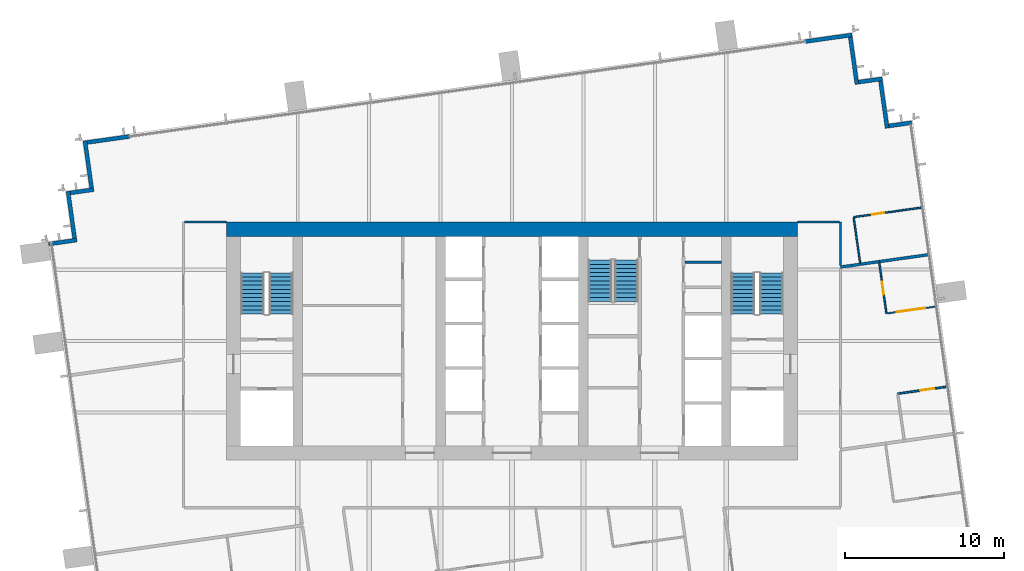
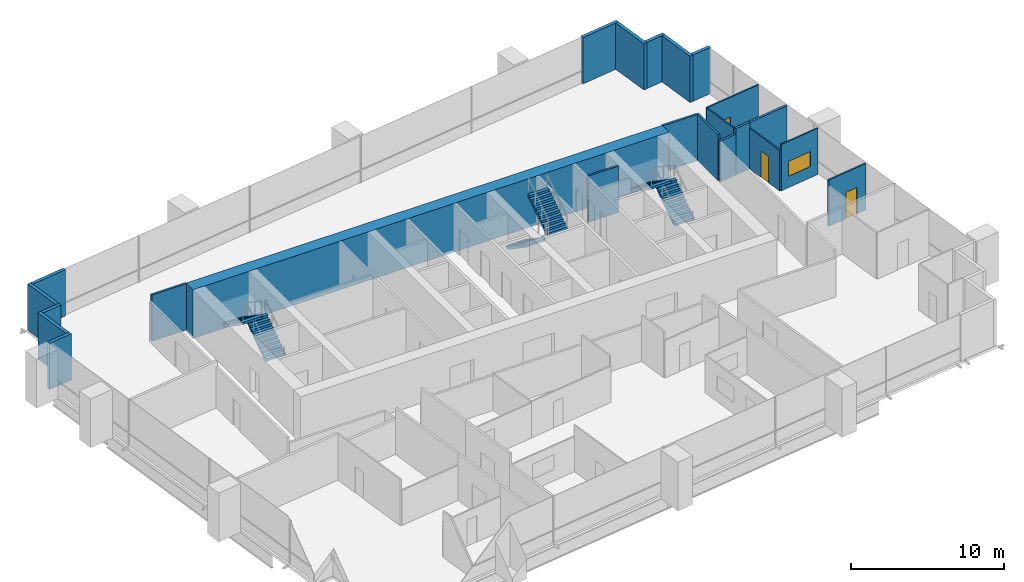
# One storey, part 12 of 14: 23 walls, 6 stair flights, 3 doors, 1 window, 4 openings, 3 elements without a shape of their own.
"""IFC4 building model written with IfcOpenShell, lengths in metres."""

from ifc_helpers import new_model, si_unit, direction, frame, frame_2d, origin, place, context, subcontext, project, spatial, polyline, rectangle, outline, extrude, material, layer, layer_set, type_object, element, fill, aggregate, save


model = new_model("IFC4")

# Units and contexts
model_context = context("Model", 3, precision=1e-05, world=origin(), true_north=direction((0.0, 1.0)))
body_context = subcontext(model_context, "Body", "Model", "MODEL_VIEW")
ifc_project = project(units=[si_unit("LENGTHUNIT", "METRE"), si_unit("AREAUNIT", "SQUARE_METRE"), si_unit("VOLUMEUNIT", "CUBIC_METRE"), si_unit("PLANEANGLEUNIT", "RADIAN"), si_unit("MASSUNIT", "GRAM", prefix="KILO")], contexts=[model_context])

# Site, building, storey
site_placement = place(None, origin())
site = spatial("IfcSite", under=ifc_project, at=site_placement, CompositionType="ELEMENT")
building_placement = place(site_placement, origin())
building = spatial("IfcBuilding", under=site, at=building_placement, Name="Rattan Terrace Tower", CompositionType="ELEMENT")
storey_placement = place(building_placement, frame((0.0, 0.0, 184.10009765625)))
storey = spatial("IfcBuildingStorey", under=building, at=storey_placement, Name="L42", CompositionType="ELEMENT", Elevation=184.10009765625)

# Walls
ifc_material_1 = material(Name="Gypsum board partition")
ifc_layer_1 = layer(ifc_material_1, 0.14990234375)
ifc_layer_set_1 = layer_set([ifc_layer_1], Name="Core partition 150")
wall_type_1 = type_object("IfcWallType", Name="Core partition 150", PredefinedType="PARTITIONING", material=ifc_layer_set_1)
wall_1_placement = place(storey_placement, frame((10.89990234375, 4.968017578125, 0.0), z_axis=(0.0, 0.0, 1.0), x_axis=(1.0, 0.0, 0.0)))
element("IfcWall", 1, at=wall_1_placement, inside=storey, type_object=wall_type_1, Name="Riser room wall", PredefinedType="PARTITIONING", context=body_context, shape_type="SweptSolid", body=[
    extrude(rectangle(XDim=2.300048828125, YDim=0.14990234375, at=frame_2d((1.14990234375, 0.0))), origin(), (0.0, 0.0, 1.0), 3.699951171875),
])
ifc_material_2 = material(Name="Concrete C60/75", Category="concrete")
ifc_layer_2 = layer(ifc_material_2, 0.89990234375)
ifc_layer_set_2 = layer_set([ifc_layer_2], Name="Core ring wall 900 C60/75")
wall_type_2 = type_object("IfcWallType", Name="Core ring wall 900 C60/75", PredefinedType="SHEAR", material=ifc_layer_set_2)
wall_2_placement = place(storey_placement, frame((-18.0, 7.050048828125, -0.2001953125), z_axis=(0.0, 0.0, 1.0), x_axis=(1.0, 0.0, 0.0)))
element("IfcWall", 2, at=wall_2_placement, inside=storey, type_object=wall_type_2, Name="Rear core wall north", PredefinedType="SHEAR", context=body_context, shape_type="SweptSolid", body=[
    extrude(rectangle(XDim=36.0, YDim=0.89990234375, at=frame_2d((18.0, 0.0))), origin(), (0.0, 0.0, 1.0), 3.900146484375),
])
ifc_material_3 = material(Name="Insulated aluminium-clad stud wall", Category="aluminium")
ifc_layer_3 = layer(ifc_material_3, 0.25)
ifc_layer_set_3 = layer_set([ifc_layer_3], Name="Facade Riser Wall 250")
wall_type_3 = type_object("IfcWallType", Name="Facade Riser Wall 250", PredefinedType="SOLIDWALL", material=ifc_layer_set_3)
wall_3_placement = place(storey_placement, frame((25.18359375, 13.758056640625, 0.0), z_axis=(0.0, 0.0, 1.0), x_axis=(-0.9902493448, -0.13930626376, 0.0)))
element("IfcWall", 3, at=wall_3_placement, inside=storey, type_object=wall_type_3, Name="Riser wall L42-6", PredefinedType="SOLIDWALL", context=body_context, shape_type="SweptSolid", body=[
    extrude(rectangle(XDim=1.45458984375, YDim=0.25, at=frame_2d((0.727294921875, 0.0))), origin(), (0.0, 0.0, 1.0), 3.699951171875),
])
wall_4_placement = place(storey_placement, frame((23.63671875, 13.414306640625, 0.0), z_axis=(0.0, 0.0, 1.0), x_axis=(-0.139313431826, 0.990248336385, 0.0)))
element("IfcWall", 4, at=wall_4_placement, inside=storey, type_object=wall_type_3, Name="Riser wall L42-7", PredefinedType="SOLIDWALL", context=body_context, shape_type="SweptSolid", body=[
    extrude(rectangle(XDim=3.000244140625, YDim=0.25, at=frame_2d((1.5, 0.0))), origin(), (0.0, 0.0, 1.0), 3.699951171875),
])
wall_5_placement = place(storey_placement, frame((23.3251953125, 16.5263671875, 0.0), z_axis=(0.0, 0.0, 1.0), x_axis=(-0.990243596651, -0.13934711799, 0.0)))
element("IfcWall", 5, at=wall_5_placement, inside=storey, type_object=wall_type_3, Name="Riser wall L42-8", PredefinedType="SOLIDWALL", context=body_context, shape_type="SweptSolid", body=[
    extrude(rectangle(XDim=1.499755859375, YDim=0.25, at=frame_2d((0.75, 0.0))), origin(), (0.0, 0.0, 1.0), 3.699951171875),
])
wall_6_placement = place(storey_placement, frame((21.733642578125, 16.17626953125, 0.0), z_axis=(0.0, 0.0, 1.0), x_axis=(-0.139313431826, 0.990248336385, 0.0)))
element("IfcWall", 6, at=wall_6_placement, inside=storey, type_object=wall_type_3, Name="Riser wall L42-9", PredefinedType="SOLIDWALL", context=body_context, shape_type="SweptSolid", body=[
    extrude(rectangle(XDim=3.000244140625, YDim=0.25, at=frame_2d((1.5, 0.0))), origin(), (0.0, 0.0, 1.0), 3.699951171875),
])
wall_7_placement = place(storey_placement, frame((21.422119140625, 19.288330078125, 0.0), z_axis=(0.0, 0.0, 1.0), x_axis=(-0.990246427036, -0.139327002919, 0.0)))
element("IfcWall", 7, at=wall_7_placement, inside=storey, type_object=wall_type_3, Name="Riser wall L42-10", PredefinedType="SOLIDWALL", context=body_context, shape_type="SweptSolid", body=[
    extrude(rectangle(XDim=2.954345703125, YDim=0.25, at=frame_2d((1.47705078125, 0.0))), origin(), (0.0, 0.0, 1.0), 3.699951171875),
])
wall_8_placement = place(storey_placement, frame((-24.08544921875, 12.892578125, 0.0), z_axis=(0.0, 0.0, 1.0), x_axis=(-0.990255800966, -0.139260362823, 0.0)))
element("IfcWall", 8, at=wall_8_placement, inside=storey, type_object=wall_type_3, Name="Riser wall L42-11", PredefinedType="SOLIDWALL", context=body_context, shape_type="SweptSolid", body=[
    extrude(rectangle(XDim=2.705078125, YDim=0.25, at=frame_2d((1.3525390625, 0.0))), origin(), (0.0, 0.0, 1.0), 3.699951171875),
])
wall_9_placement = place(storey_placement, frame((-26.9052734375, 12.6220703125, 0.0), z_axis=(0.0, 0.0, 1.0), x_axis=(0.139313431826, -0.990248336385, 0.0)))
element("IfcWall", 9, at=wall_9_placement, inside=storey, type_object=wall_type_3, Name="Riser wall L42-12", PredefinedType="SOLIDWALL", context=body_context, shape_type="SweptSolid", body=[
    extrude(rectangle(XDim=3.000244140625, YDim=0.25, at=frame_2d((1.5, 0.0))), origin(), (0.0, 0.0, 1.0), 3.699951171875),
])
wall_10_placement = place(storey_placement, frame((-26.34619140625, 9.54443359375, 0.0), z_axis=(0.0, 0.0, 1.0), x_axis=(-0.990368090482, -0.13845954411, 0.0)))
element("IfcWall", 10, at=wall_10_placement, inside=storey, type_object=wall_type_3, Name="Riser wall L42-13", PredefinedType="SOLIDWALL", context=body_context, shape_type="SweptSolid", body=[
    extrude(rectangle(XDim=1.50048828125, YDim=0.25, at=frame_2d((0.750244140625, 0.0))), origin(), (0.0, 0.0, 1.0), 3.699951171875),
])
wall_11_placement = place(storey_placement, frame((-27.973388671875, 9.443115234375, 0.0), z_axis=(0.0, 0.0, 1.0), x_axis=(0.139313431826, -0.990248336385, 0.0)))
element("IfcWall", 11, at=wall_11_placement, inside=storey, type_object=wall_type_3, Name="Riser wall L42-14", PredefinedType="SOLIDWALL", context=body_context, shape_type="SweptSolid", body=[
    extrude(rectangle(XDim=3.000244140625, YDim=0.25, at=frame_2d((1.5, 0.0))), origin(), (0.0, 0.0, 1.0), 3.699951171875),
])
wall_12_placement = place(storey_placement, frame((-27.414306640625, 6.36572265625, 0.0), z_axis=(0.0, 0.0, 1.0), x_axis=(-0.990256286673, -0.139256908998, 0.0)))
element("IfcWall", 12, at=wall_12_placement, inside=storey, type_object=wall_type_3, Name="Riser wall L42-15", PredefinedType="SOLIDWALL", context=body_context, shape_type="SweptSolid", body=[
    extrude(rectangle(XDim=1.800537109375, YDim=0.25, at=frame_2d((0.900390625, 0.0))), origin(), (0.0, 0.0, 1.0), 3.699951171875),
])
ifc_material_4 = material(Name="Double steel stud acoustic partition, gypsum board, mineral wool, fire rated", Category="steel")
ifc_layer_4 = layer(ifc_material_4, 0.179931640625)
ifc_layer_set_4 = layer_set([ifc_layer_4], Name="Floors Acoustic Party Wall 180")
wall_type_4 = type_object("IfcWallType", Name="Floors Acoustic Party Wall 180", PredefinedType="PARTITIONING", material=ifc_layer_set_4)
wall_13_placement = place(storey_placement, frame((20.699951171875, 4.6650390625, 0.0), z_axis=(0.0, 0.0, 1.0), x_axis=(0.99023431529, 0.139413058294, 0.0)))
element("IfcWall", 13, at=wall_13_placement, inside=storey, type_object=wall_type_4, Name="pt-L42-044", PredefinedType="PARTITIONING", context=body_context, shape_type="SweptSolid", body=[
    extrude(rectangle(XDim=1.276611328125, YDim=0.179931640625, at=frame_2d((0.63818359375, 0.0))), origin(), (0.0, 0.0, 1.0), 3.25),
])
wall_14_placement = place(storey_placement, frame((21.964111328125, 4.843017578125, 0.0), z_axis=(0.0, 0.0, 1.0), x_axis=(0.990277975586, 0.139102591888, 0.0)))
element("IfcWall", 14, at=wall_14_placement, inside=storey, type_object=wall_type_4, Name="pt-L42-045", PredefinedType="PARTITIONING", context=body_context, shape_type="SweptSolid", body=[
    extrude(rectangle(XDim=1.179443359375, YDim=0.179931640625, at=frame_2d((0.58984375, 0.0))), origin(), (0.0, 0.0, 1.0), 3.699951171875),
])
wall_15_placement = place(storey_placement, frame((23.132080078125, 5.007080078125, 0.0), z_axis=(0.0, 0.0, 1.0), x_axis=(0.990260846741, 0.139224478493, 0.0)))
element("IfcWall", 15, at=wall_15_placement, inside=storey, type_object=wall_type_4, Name="pt-L42-046", PredefinedType="PARTITIONING", context=body_context, shape_type="SweptSolid", body=[
    extrude(rectangle(XDim=3.0810546875, YDim=0.179931640625, at=frame_2d((1.54052734375, 0.0))), origin(), (0.0, 0.0, 1.0), 3.699951171875),
])

# Wall, opening, door
ifc_material_5 = material(Name="Gypsum board partition on steel studs", Category="steel")
ifc_layer_5 = layer(ifc_material_5, 0.10009765625)
ifc_layer_set_5 = layer_set([ifc_layer_5], Name="Floors Partition 100")
wall_type_5 = type_object("IfcWallType", Name="Floors Partition 100", PredefinedType="PARTITIONING", material=ifc_layer_set_5)
wall_16_placement = place(storey_placement, frame((23.14501953125, 4.91796875, 0.0), z_axis=(0.0, 0.0, 1.0), x_axis=(0.139249005145, -0.990257398138, 0.0)))
wall_16 = element("IfcWall", 16, at=wall_16_placement, inside=storey, type_object=wall_type_5, Name="pt-L42-042", PredefinedType="PARTITIONING", context=body_context, shape_type="SweptSolid", body=[
    extrude(rectangle(XDim=3.210205078125, YDim=0.10009765625, at=frame_2d((1.60498046875, 0.0))), origin(), (0.0, 0.0, 1.0), 3.25),
])
opening_1_placement = place(wall_16_placement, frame((1.205078125, 0.0, 0.0)))
opening_1 = element("IfcOpeningElement", 17, at=opening_1_placement, cuts=wall_16, Name="Opening L42-D109", PredefinedType="OPENING", context=body_context, shape_type="SweptSolid", body=[
    extrude(rectangle(XDim=0.800048828125, YDim=2.10009765625, at=frame_2d((0.39990234375, 1.050048828125))), frame((0.0, 0.060546875, 0.0), z_axis=(0.0, -1.0, 0.0), x_axis=(1.0, 0.0, 0.0)), (0.0, 0.0, 1.0), 0.12109375),
])
ifc_material_6 = material(Name="Solid core timber door, painted", Category="wood")
door_type_1 = type_object("IfcDoorType", Name="Floors Store Door 800x2100", OperationType="NOTDEFINED", PredefinedType="DOOR", material=ifc_material_6)
door_1_placement = place(opening_1_placement, origin())
door_1 = element("IfcDoor", 18, at=door_1_placement, inside=storey, type_object=door_type_1, Name="d-L42-109", OperationType="SINGLE_SWING_RIGHT", OverallHeight=2.10009765625, OverallWidth=0.800048828125, PredefinedType="DOOR", context=body_context, shape_type="SweptSolid", body=[
    extrude(rectangle(XDim=0.800048828125, YDim=2.10009765625, at=frame_2d((0.39990234375, 1.050048828125))), frame((0.0, 0.02490234375, 0.0), z_axis=(0.0, -1.0, 0.0), x_axis=(1.0, 0.0, 0.0)), (0.0, 0.0, 1.0), 0.050048828125),
])
fill(opening_1, door_1)

# Wall, opening, window
wall_17_placement = place(storey_placement, frame((23.64208984375, 1.74609375, 0.0), z_axis=(0.0, 0.0, 1.0), x_axis=(0.990294755806, 0.138983080349, 0.0)))
wall_17 = element("IfcWall", 19, at=wall_17_placement, inside=storey, type_object=wall_type_5, Name="pt-L42-043", PredefinedType="PARTITIONING", context=body_context, shape_type="SweptSolid", body=[
    extrude(rectangle(XDim=3.0283203125, YDim=0.10009765625, at=frame_2d((1.51416015625, 0.0))), origin(), (0.0, 0.0, 1.0), 3.699951171875),
])
opening_2_placement = place(wall_17_placement, frame((0.614990234375, 0.0, 0.89990234375)))
opening_2 = element("IfcOpeningElement", 20, at=opening_2_placement, cuts=wall_17, Name="Opening L42-W100", PredefinedType="OPENING", context=body_context, shape_type="SweptSolid", body=[
    extrude(rectangle(XDim=1.800048828125, YDim=1.199951171875, at=frame_2d((0.89990234375, 0.60009765625))), frame((0.0, 0.060546875, 0.0), z_axis=(0.0, -1.0, 0.0), x_axis=(1.0, 0.0, 0.0)), (0.0, 0.0, 1.0), 0.12109375),
])
ifc_material_7 = material(Name="Glass, clear, fixed in aluminium frame", Category="aluminium")
window_type = type_object("IfcWindowType", Name="Interior Vision Window 1800x1200", PartitioningType="SINGLE_PANEL", PredefinedType="WINDOW", material=ifc_material_7)
window_placement = place(opening_2_placement, origin())
window = element("IfcWindow", 21, at=window_placement, inside=storey, type_object=window_type, Name="w-L42-100", OverallHeight=1.199951171875, OverallWidth=1.800048828125, PartitioningType="SINGLE_PANEL", PredefinedType="WINDOW", context=body_context, shape_type="SweptSolid", body=[
    extrude(rectangle(XDim=1.800048828125, YDim=1.199951171875, at=frame_2d((0.89990234375, 0.60009765625))), frame((0.0, 0.030029296875, 0.0), z_axis=(0.0, -1.0, 0.0), x_axis=(1.0, 0.0, 0.0)), (0.0, 0.0, 1.0), 0.06005859375),
])
fill(opening_2, window)

# Wall
wall_18_placement = place(storey_placement, frame((21.532958984375, 7.760986328125, 0.0), z_axis=(0.0, 0.0, 1.0), x_axis=(0.139150189669, -0.990271288443, 0.0)))
element("IfcWall", 22, at=wall_18_placement, inside=storey, type_object=wall_type_5, Name="pt-L42-047", PredefinedType="PARTITIONING", context=body_context, shape_type="SweptSolid", body=[
    extrude(rectangle(XDim=2.85986328125, YDim=0.10009765625, at=frame_2d((1.429931640625, 0.0))), origin(), (0.0, 0.0, 1.0), 3.699951171875),
])

# Wall, opening, door
wall_19_placement = place(storey_placement, frame((25.763916015625, 8.406005859375, 0.0), z_axis=(0.0, 0.0, 1.0), x_axis=(-0.99028887957, -0.139024943805, 0.0)))
wall_19 = element("IfcWall", 23, at=wall_19_placement, inside=storey, type_object=wall_type_5, Name="pt-L42-048", PredefinedType="PARTITIONING", context=body_context, shape_type="SweptSolid", body=[
    extrude(rectangle(XDim=4.279541015625, YDim=0.10009765625, at=frame_2d((2.1396484375, 0.0))), origin(), (0.0, 0.0, 1.0), 3.699951171875),
])
opening_3_placement = place(wall_19_placement, frame((2.3359375, 0.0, 0.0)))
opening_3 = element("IfcOpeningElement", 24, at=opening_3_placement, cuts=wall_19, Name="Opening L42-D111", PredefinedType="OPENING", context=body_context, shape_type="SweptSolid", body=[
    extrude(rectangle(XDim=0.800048828125, YDim=2.10009765625, at=frame_2d((0.39990234375, 1.050048828125))), frame((0.0, 0.060546875, 0.0), z_axis=(0.0, -1.0, 0.0), x_axis=(1.0, 0.0, 0.0)), (0.0, 0.0, 1.0), 0.12109375),
])
door_2_placement = place(opening_3_placement, origin())
door_2 = element("IfcDoor", 25, at=door_2_placement, inside=storey, type_object=door_type_1, Name="d-L42-111", OperationType="SINGLE_SWING_RIGHT", OverallHeight=2.10009765625, OverallWidth=0.800048828125, PredefinedType="DOOR", context=body_context, shape_type="SweptSolid", body=[
    extrude(rectangle(XDim=0.800048828125, YDim=2.10009765625, at=frame_2d((0.39990234375, 1.050048828125))), frame((0.0, 0.02490234375, 0.0), z_axis=(0.0, -1.0, 0.0), x_axis=(1.0, 0.0, 0.0)), (0.0, 0.0, 1.0), 0.050048828125),
])
fill(opening_3, door_2)

# Walls
ifc_material_8 = material(Name="Gypsum board partition on steel studs, fire rated", Category="steel")
ifc_layer_6 = layer(ifc_material_8, 0.14990234375)
ifc_layer_set_6 = layer_set([ifc_layer_6], Name="Floors Tenancy Wall 150")
wall_type_6 = type_object("IfcWallType", Name="Floors Tenancy Wall 150", PredefinedType="PARTITIONING", material=ifc_layer_set_6)
wall_20_placement = place(storey_placement, frame((-20.625, 7.5009765625, 0.0), z_axis=(0.0, 0.0, 1.0), x_axis=(1.0, 0.0, 0.0)))
element("IfcWall", 26, at=wall_20_placement, inside=storey, type_object=wall_type_6, Name="pt-L42-012", PredefinedType="PARTITIONING", context=body_context, shape_type="SweptSolid", body=[
    extrude(rectangle(XDim=2.625, YDim=0.14990234375, at=frame_2d((1.3125, 0.0))), origin(), (0.0, 0.0, 1.0), 3.699951171875),
])
wall_21_placement = place(storey_placement, frame((18.0, 7.5009765625, 0.0), z_axis=(0.0, 0.0, 1.0), x_axis=(1.0, 0.0, 0.0)))
element("IfcWall", 27, at=wall_21_placement, inside=storey, type_object=wall_type_6, Name="pt-L42-013", PredefinedType="PARTITIONING", context=body_context, shape_type="SweptSolid", body=[
    extrude(rectangle(XDim=2.6240234375, YDim=0.14990234375, at=frame_2d((1.31201171875, 0.0))), origin(), (0.0, 0.0, 1.0), 3.699951171875),
])
wall_22_placement = place(storey_placement, frame((20.698974609375, 7.5, 0.0), z_axis=(0.0, 0.0, 1.0), x_axis=(0.0, -1.0, 0.0)))
element("IfcWall", 28, at=wall_22_placement, inside=storey, type_object=wall_type_6, Name="pt-L42-014", PredefinedType="PARTITIONING", context=body_context, shape_type="SweptSolid", body=[
    extrude(rectangle(XDim=2.73291015625, YDim=0.14990234375, at=frame_2d((1.366455078125, 0.0))), origin(), (0.0, 0.0, 1.0), 3.699951171875),
])

# Wall, opening, door
ifc_material_9 = material(Name="Moisture resistant gypsum board partition on steel studs with service cavity", Category="steel")
ifc_layer_7 = layer(ifc_material_9, 0.1201171875)
ifc_layer_set_7 = layer_set([ifc_layer_7], Name="Floors Wet Wall 120")
wall_type_7 = type_object("IfcWallType", Name="Floors Wet Wall 120", PredefinedType="PARTITIONING", material=ifc_layer_set_7)
wall_23_placement = place(storey_placement, frame((27.35205078125, -2.883056640625, 0.0), z_axis=(0.0, 0.0, 1.0), x_axis=(-0.990260846741, -0.139224478493, 0.0)))
wall_23 = element("IfcWall", 29, at=wall_23_placement, inside=storey, type_object=wall_type_7, Name="pt-L42-041", PredefinedType="PARTITIONING", context=body_context, shape_type="SweptSolid", body=[
    extrude(rectangle(XDim=3.0810546875, YDim=0.1201171875, at=frame_2d((1.54052734375, 0.0))), origin(), (0.0, 0.0, 1.0), 3.699951171875),
])
opening_4_placement = place(wall_23_placement, frame((0.75390625, 0.0, 0.0)))
opening_4 = element("IfcOpeningElement", 30, at=opening_4_placement, cuts=wall_23, Name="Opening L42-D108", PredefinedType="OPENING", context=body_context, shape_type="SweptSolid", body=[
    extrude(rectangle(XDim=0.89990234375, YDim=2.10009765625, at=frame_2d((0.449951171875, 1.050048828125))), frame((0.0, 0.070556640625, 0.0), z_axis=(0.0, -1.0, 0.0), x_axis=(1.0, 0.0, 0.0)), (0.0, 0.0, 1.0), 0.14111328125),
])
ifc_material_10 = material(Name="Solid core timber door, painted", Category="wood")
door_type_2 = type_object("IfcDoorType", Name="Floors Door 900x2100", OperationType="NOTDEFINED", PredefinedType="DOOR", material=ifc_material_10)
door_3_placement = place(opening_4_placement, origin())
door_3 = element("IfcDoor", 31, at=door_3_placement, inside=storey, type_object=door_type_2, Name="d-L42-108", OperationType="SINGLE_SWING_LEFT", OverallHeight=2.10009765625, OverallWidth=0.89990234375, PredefinedType="DOOR", context=body_context, shape_type="SweptSolid", body=[
    extrude(rectangle(XDim=0.89990234375, YDim=2.10009765625, at=frame_2d((0.449951171875, 1.050048828125))), frame((0.0, 0.02490234375, 0.0), z_axis=(0.0, -1.0, 0.0), x_axis=(1.0, 0.0, 0.0)), (0.0, 0.0, 1.0), 0.050048828125),
])
fill(opening_4, door_3)

# Stair, stair flights
ifc_material_11 = material(Name="Concrete C40/50", Category="concrete")
stair_type = type_object("IfcStairType", Name="Core exit stair 1500", PredefinedType="HALF_TURN_STAIR", material=ifc_material_11)
stair_1_placement = place(storey_placement, origin())
stair_1 = element("IfcStair", 32, at=stair_1_placement, inside=storey, type_object=stair_type, Name="L42 exit stair 1", PredefinedType="HALF_TURN_STAIR")
ifc_material_12 = material(Name="Concrete C40/50", Category="concrete")
stair_flight_type = type_object("IfcStairFlightType", Name="Core exit stair flight 1500", PredefinedType="STRAIGHT", material=ifc_material_12)
stair_flight_1_placement = place(storey_placement, frame((-14.550048828125, 1.699951171875, 0.0), z_axis=(0.0, 0.0, 1.0), x_axis=(0.0, 1.0, 0.0)))
stair_flight_1 = element("IfcStairFlight", 33, at=stair_flight_1_placement, type_object=stair_flight_type, Name="S1 flight 1", NumberOfRisers=11, NumberOfTreads=10, PredefinedType="STRAIGHT", RiserHeight=0.177272727, TreadLength=0.26, context=body_context, shape_type="SweptSolid", body=[
    extrude(outline(polyline([(0.0, 0.0), (0.0, 0.17724609375), (0.260009765625, 0.17724609375), (0.260009765625, 0.3544921875), (0.52001953125, 0.3544921875), (0.52001953125, 0.53173828125), (0.780029296875, 0.53173828125), (0.780029296875, 0.708984375), (1.0400390625, 0.708984375), (1.0400390625, 0.886474609375), (1.300048828125, 0.886474609375), (1.300048828125, 1.063720703125), (1.56005859375, 1.063720703125), (1.56005859375, 1.240966796875), (1.820068359375, 1.240966796875), (1.820068359375, 1.418212890625), (2.080078125, 1.418212890625), (2.080078125, 1.595458984375), (2.340087890625, 1.595458984375), (2.340087890625, 1.772705078125), (2.60009765625, 1.772705078125), (2.60009765625, 1.949951171875), (2.60009765625, 1.59130859375), (0.26611328125, 0.0), (0.0, 0.0)])), frame((0.0, 0.75, 0.0), z_axis=(0.0, -1.0, 0.0), x_axis=(1.0, 0.0, 0.0)), (0.0, 0.0, 1.0), 1.5),
])
stair_flight_2_placement = place(storey_placement, frame((-16.35009765625, 4.300048828125, 1.949951171875), z_axis=(0.0, 0.0, 1.0), x_axis=(0.0, -1.0, 0.0)))
stair_flight_2 = element("IfcStairFlight", 34, at=stair_flight_2_placement, type_object=stair_flight_type, Name="S1 flight 2", NumberOfRisers=11, NumberOfTreads=10, PredefinedType="STRAIGHT", RiserHeight=0.177272727, TreadLength=0.26, context=body_context, shape_type="SweptSolid", body=[
    extrude(outline(polyline([(0.0, 0.0), (0.0, 0.17724609375), (0.260009765625, 0.17724609375), (0.260009765625, 0.3544921875), (0.52001953125, 0.3544921875), (0.52001953125, 0.53173828125), (0.780029296875, 0.53173828125), (0.780029296875, 0.708984375), (1.0400390625, 0.708984375), (1.0400390625, 0.886474609375), (1.300048828125, 0.886474609375), (1.300048828125, 1.063720703125), (1.56005859375, 1.063720703125), (1.56005859375, 1.240966796875), (1.820068359375, 1.240966796875), (1.820068359375, 1.418212890625), (2.080078125, 1.418212890625), (2.080078125, 1.595458984375), (2.340087890625, 1.595458984375), (2.340087890625, 1.772705078125), (2.60009765625, 1.772705078125), (2.60009765625, 1.949951171875), (2.60009765625, 1.59130859375), (0.26611328125, 0.0), (0.0, 0.0)])), frame((0.0, 0.75, 0.0), z_axis=(0.0, -1.0, 0.0), x_axis=(1.0, 0.0, 0.0)), (0.0, 0.0, 1.0), 1.5),
])
aggregate(stair_1, [stair_flight_1, stair_flight_2])

stair_2_placement = place(storey_placement, origin())
stair_2 = element("IfcStair", 35, at=stair_2_placement, inside=storey, type_object=stair_type, Name="L42 exit stair 2", PredefinedType="HALF_TURN_STAIR")
stair_flight_3_placement = place(storey_placement, frame((16.35009765625, 1.699951171875, 0.0), z_axis=(0.0, 0.0, 1.0), x_axis=(0.0, 1.0, 0.0)))
stair_flight_3 = element("IfcStairFlight", 36, at=stair_flight_3_placement, type_object=stair_flight_type, Name="S2 flight 1", NumberOfRisers=11, NumberOfTreads=10, PredefinedType="STRAIGHT", RiserHeight=0.177272727, TreadLength=0.26, context=body_context, shape_type="SweptSolid", body=[
    extrude(outline(polyline([(0.0, 0.0), (0.0, 0.17724609375), (0.260009765625, 0.17724609375), (0.260009765625, 0.3544921875), (0.52001953125, 0.3544921875), (0.52001953125, 0.53173828125), (0.780029296875, 0.53173828125), (0.780029296875, 0.708984375), (1.0400390625, 0.708984375), (1.0400390625, 0.886474609375), (1.300048828125, 0.886474609375), (1.300048828125, 1.063720703125), (1.56005859375, 1.063720703125), (1.56005859375, 1.240966796875), (1.820068359375, 1.240966796875), (1.820068359375, 1.418212890625), (2.080078125, 1.418212890625), (2.080078125, 1.595458984375), (2.340087890625, 1.595458984375), (2.340087890625, 1.772705078125), (2.60009765625, 1.772705078125), (2.60009765625, 1.949951171875), (2.60009765625, 1.59130859375), (0.26611328125, 0.0), (0.0, 0.0)])), frame((0.0, 0.75, 0.0), z_axis=(0.0, -1.0, 0.0), x_axis=(1.0, 0.0, 0.0)), (0.0, 0.0, 1.0), 1.5),
])
stair_flight_4_placement = place(storey_placement, frame((14.550048828125, 4.300048828125, 1.949951171875), z_axis=(0.0, 0.0, 1.0), x_axis=(0.0, -1.0, 0.0)))
stair_flight_4 = element("IfcStairFlight", 37, at=stair_flight_4_placement, type_object=stair_flight_type, Name="S2 flight 2", NumberOfRisers=11, NumberOfTreads=10, PredefinedType="STRAIGHT", RiserHeight=0.177272727, TreadLength=0.26, context=body_context, shape_type="SweptSolid", body=[
    extrude(outline(polyline([(0.0, 0.0), (0.0, 0.17724609375), (0.260009765625, 0.17724609375), (0.260009765625, 0.3544921875), (0.52001953125, 0.3544921875), (0.52001953125, 0.53173828125), (0.780029296875, 0.53173828125), (0.780029296875, 0.708984375), (1.0400390625, 0.708984375), (1.0400390625, 0.886474609375), (1.300048828125, 0.886474609375), (1.300048828125, 1.063720703125), (1.56005859375, 1.063720703125), (1.56005859375, 1.240966796875), (1.820068359375, 1.240966796875), (1.820068359375, 1.418212890625), (2.080078125, 1.418212890625), (2.080078125, 1.595458984375), (2.340087890625, 1.595458984375), (2.340087890625, 1.772705078125), (2.60009765625, 1.772705078125), (2.60009765625, 1.949951171875), (2.60009765625, 1.59130859375), (0.26611328125, 0.0), (0.0, 0.0)])), frame((0.0, 0.75, 0.0), z_axis=(0.0, -1.0, 0.0), x_axis=(1.0, 0.0, 0.0)), (0.0, 0.0, 1.0), 1.5),
])
aggregate(stair_2, [stair_flight_3, stair_flight_4])

stair_3_placement = place(storey_placement, origin())
stair_3 = element("IfcStair", 38, at=stair_3_placement, inside=storey, type_object=stair_type, Name="L42 exit stair 3", PredefinedType="HALF_TURN_STAIR")
stair_flight_5_placement = place(storey_placement, frame((5.550048828125, 5.10009765625, 0.0), z_axis=(0.0, 0.0, 1.0), x_axis=(0.0, -1.0, 0.0)))
stair_flight_5 = element("IfcStairFlight", 39, at=stair_flight_5_placement, type_object=stair_flight_type, Name="S3 flight 1", NumberOfRisers=11, NumberOfTreads=10, PredefinedType="STRAIGHT", RiserHeight=0.177272727, TreadLength=0.26, context=body_context, shape_type="SweptSolid", body=[
    extrude(outline(polyline([(0.0, 0.0), (0.0, 0.17724609375), (0.260009765625, 0.17724609375), (0.260009765625, 0.3544921875), (0.52001953125, 0.3544921875), (0.52001953125, 0.53173828125), (0.780029296875, 0.53173828125), (0.780029296875, 0.708984375), (1.0400390625, 0.708984375), (1.0400390625, 0.886474609375), (1.300048828125, 0.886474609375), (1.300048828125, 1.063720703125), (1.56005859375, 1.063720703125), (1.56005859375, 1.240966796875), (1.820068359375, 1.240966796875), (1.820068359375, 1.418212890625), (2.080078125, 1.418212890625), (2.080078125, 1.595458984375), (2.340087890625, 1.595458984375), (2.340087890625, 1.772705078125), (2.60009765625, 1.772705078125), (2.60009765625, 1.949951171875), (2.60009765625, 1.59130859375), (0.26611328125, 0.0), (0.0, 0.0)])), frame((0.0, 0.75, 0.0), z_axis=(0.0, -1.0, 0.0), x_axis=(1.0, 0.0, 0.0)), (0.0, 0.0, 1.0), 1.5),
])
stair_flight_6_placement = place(storey_placement, frame((7.199951171875, 2.5, 1.949951171875), z_axis=(0.0, 0.0, 1.0), x_axis=(0.0, 1.0, 0.0)))
stair_flight_6 = element("IfcStairFlight", 40, at=stair_flight_6_placement, type_object=stair_flight_type, Name="S3 flight 2", NumberOfRisers=11, NumberOfTreads=10, PredefinedType="STRAIGHT", RiserHeight=0.177272727, TreadLength=0.26, context=body_context, shape_type="SweptSolid", body=[
    extrude(outline(polyline([(0.0, 0.0), (0.0, 0.17724609375), (0.260009765625, 0.17724609375), (0.260009765625, 0.3544921875), (0.52001953125, 0.3544921875), (0.52001953125, 0.53173828125), (0.780029296875, 0.53173828125), (0.780029296875, 0.708984375), (1.0400390625, 0.708984375), (1.0400390625, 0.886474609375), (1.300048828125, 0.886474609375), (1.300048828125, 1.063720703125), (1.56005859375, 1.063720703125), (1.56005859375, 1.240966796875), (1.820068359375, 1.240966796875), (1.820068359375, 1.418212890625), (2.080078125, 1.418212890625), (2.080078125, 1.595458984375), (2.340087890625, 1.595458984375), (2.340087890625, 1.772705078125), (2.60009765625, 1.772705078125), (2.60009765625, 1.949951171875), (2.60009765625, 1.59130859375), (0.26611328125, 0.0), (0.0, 0.0)])), frame((0.0, 0.75, 0.0), z_axis=(0.0, -1.0, 0.0), x_axis=(1.0, 0.0, 0.0)), (0.0, 0.0, 1.0), 1.5),
])
aggregate(stair_3, [stair_flight_5, stair_flight_6])

save(model, "model.ifc")
